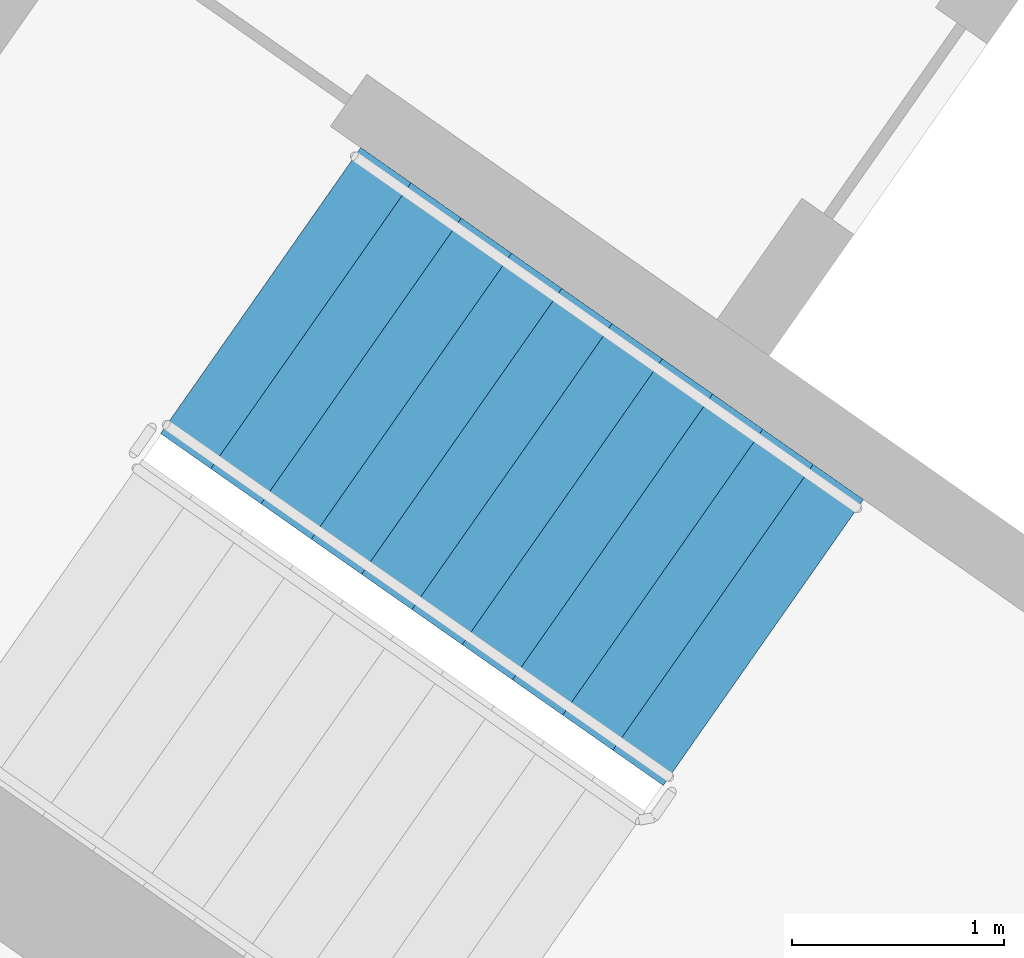
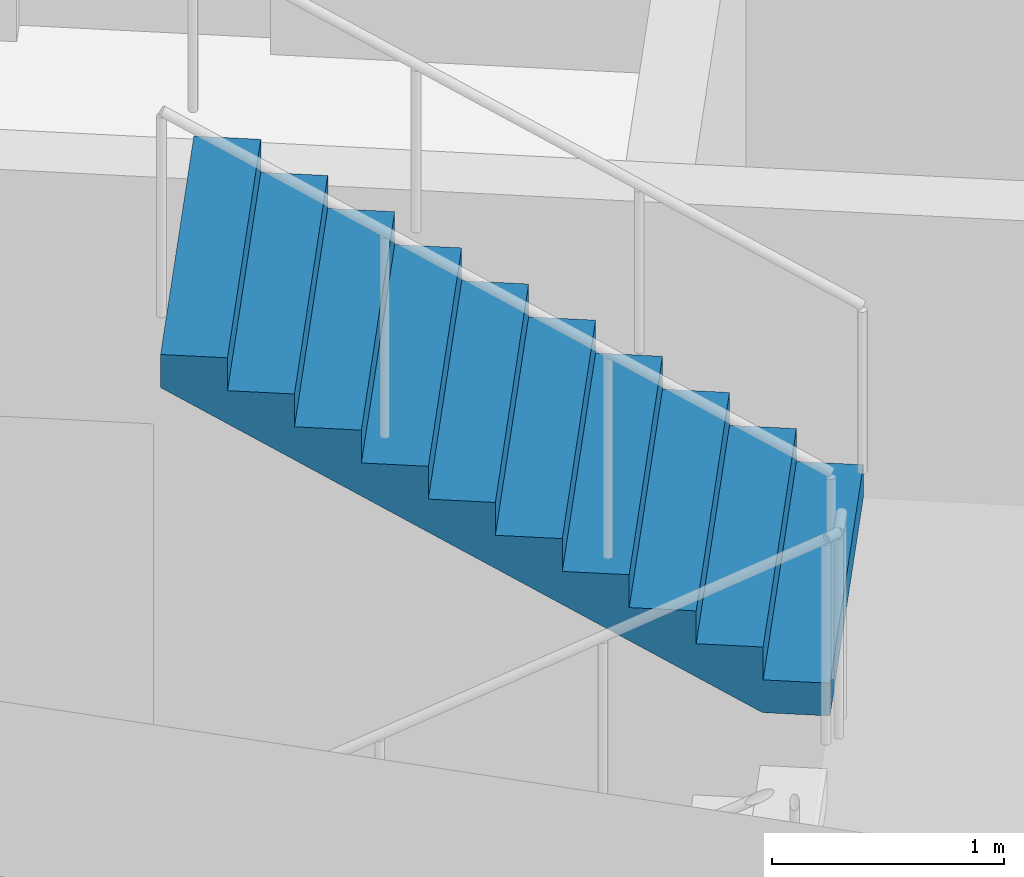
# One storey, part 10 of 28: 1 stair flight, 1 element without a shape of its own.
"""IFC4 building model written with IfcOpenShell, lengths in metres."""

import ifcopenshell
import ifcopenshell.guid

model = None  # the IFC model being written
_history = None  # IfcOwnerHistory: only IFC2X3 demands one
_inside = {}  # id of a spatial element -> (the spatial element, [elements in it])
_under = {}  # id of a project, library or spatial element -> (it, [spatial elements below it])
_declared = {}  # id of a project -> (the project, [libraries it declares])
_typed = {}  # id of a type object -> (the type object, [elements of that type])
_made_of = {}  # id of a material, layer set ... -> (it, [elements and type objects made of it])


def new_model(schema):
    """Start an empty IFC model of exactly this schema.

    Asked for "IFC4X3", IfcOpenShell would pick the latest addendum, in which some entities
    have other attributes; the version numbers below select the first issue.
    IFC2X3 requires an IfcOwnerHistory on every rooted entity: one is made here for all.
    """
    global model, _history
    if schema == "IFC4X3":
        model = ifcopenshell.file(schema_version=(4, 3, 0, 0))
    else:
        model = ifcopenshell.file(schema=schema)
    _inside.clear()
    _under.clear()
    _declared.clear()
    _typed.clear()
    _made_of.clear()
    _history = None
    if model.schema == "IFC2X3":
        org = make("IfcOrganization", Name="unknown")
        user = make(
            "IfcPersonAndOrganization",
            ThePerson=make("IfcPerson", FamilyName="unknown"),
            TheOrganization=org,
        )
        app = make(
            "IfcApplication",
            ApplicationDeveloper=org,
            Version="unknown",
            ApplicationFullName="unknown",
            ApplicationIdentifier="unknown",
        )
        _history = make(
            "IfcOwnerHistory",
            OwningUser=user,
            OwningApplication=app,
            ChangeAction="ADDED",
            CreationDate=0,
        )
    return model


def make(cls, **values):
    """One entity of the class cls with the attributes given. An attribute that is None is left unset."""
    return model.create_entity(
        cls, **{name: value for name, value in values.items() if value is not None}
    )


def rooted(cls, **values):
    """An entity with a GlobalId (a new one), such as an element, a storey or a relation."""
    return make(cls, GlobalId=ifcopenshell.guid.new(), OwnerHistory=_history, **values)


def si_unit(unit_type, name, prefix=None):
    """IfcSIUnit, for example si_unit("LENGTHUNIT", "METRE", prefix="MILLI")."""
    return make("IfcSIUnit", UnitType=unit_type, Prefix=prefix, Name=name)


def assignment(units):
    """IfcUnitAssignment: the units of a project."""
    return None if units is None else make("IfcUnitAssignment", Units=units)


def point(xyz):
    """IfcCartesianPoint."""
    return None if xyz is None else make("IfcCartesianPoint", Coordinates=xyz)


def direction(xyz):
    """IfcDirection."""
    return None if xyz is None else make("IfcDirection", DirectionRatios=xyz)


def frame(location, z_axis=None, x_axis=None):
    """IfcAxis2Placement3D, a coordinate frame: its origin and axes. An axis left out is left unset."""
    return make(
        "IfcAxis2Placement3D",
        Location=point(location),
        Axis=direction(z_axis),
        RefDirection=direction(x_axis),
    )


def origin():
    """The frame at (0, 0, 0) with its axes left unset."""
    return frame((0.0, 0.0, 0.0))


def place(relative_to, where):
    """IfcLocalPlacement: puts the frame where relative to a parent placement (None: the world)."""
    return make(
        "IfcLocalPlacement", PlacementRelTo=relative_to, RelativePlacement=where
    )


def context(
    kind, dimensions, precision=None, world=None, true_north=None, identifier=None
):
    """IfcGeometricRepresentationContext, for example the 3D "Model" context."""
    return make(
        "IfcGeometricRepresentationContext",
        ContextIdentifier=identifier,
        ContextType=kind,
        CoordinateSpaceDimension=dimensions,
        Precision=precision,
        WorldCoordinateSystem=world,
        TrueNorth=true_north,
    )


def subcontext(parent, identifier, kind, view, scale=None):
    """IfcGeometricRepresentationSubContext, for example "Body" below "Model"."""
    return make(
        "IfcGeometricRepresentationSubContext",
        ContextIdentifier=identifier,
        ContextType=kind,
        ParentContext=parent,
        TargetScale=scale,
        TargetView=view,
    )


def project(units=None, contexts=None):
    """IfcProject with its units and contexts."""
    return rooted(
        "IfcProject",
        Name="project",
        RepresentationContexts=contexts,
        UnitsInContext=assignment(units),
    )


def spatial(cls, under=None, at=None, **own):
    """A site, building, storey or space (cls), placed at a placement, below another one or the project."""
    s = rooted(cls, ObjectPlacement=at, **own)
    if under is not None:
        _under.setdefault(under.id(), (under, []))[1].append(s)
    return s


def faces_of(points, faces, orient=None, outer=None):
    """IfcFace entities. A face is a list of loops; a loop is a list of indices into points, from 0.

    orient and outer hold one flag for each loop. By default every Orientation is true, the
    first loop of a face is its IfcFaceOuterBound and the others are IfcFaceBound.
    """
    made = []
    for i, loops in enumerate(faces):
        bounds = []
        for j, loop in enumerate(loops):
            is_outer = j == 0 if outer is None else outer[i][j]
            bounds.append(
                make(
                    "IfcFaceOuterBound" if is_outer else "IfcFaceBound",
                    Bound=make("IfcPolyLoop", Polygon=[points[k] for k in loop]),
                    Orientation=True if orient is None else orient[i][j],
                )
            )
        made.append(make("IfcFace", Bounds=bounds))
    return made


def faceted_brep(points, faces, orient=None, outer=None, voids=None):
    """IfcFacetedBrep: a solid bounded by flat faces; with voids (closed shells), ...WithVoids."""
    shared = [point(p) for p in points]
    hull = make("IfcClosedShell", CfsFaces=faces_of(shared, faces, orient, outer))
    if voids is None:
        return make("IfcFacetedBrep", Outer=hull)
    return make(
        "IfcFacetedBrepWithVoids",
        Outer=hull,
        Voids=[
            make(cls, CfsFaces=faces_of(shared, fs, o, b)) for cls, fs, o, b in voids
        ],
    )


def shape(context_of_items, identifier, shape_type, items):
    """IfcShapeRepresentation: the items that make up one representation, for example the "Body"."""
    return make(
        "IfcShapeRepresentation",
        ContextOfItems=context_of_items,
        RepresentationIdentifier=identifier,
        RepresentationType=shape_type,
        Items=items,
    )


def material(Name=None, Category=None):
    """IfcMaterial."""
    return make("IfcMaterial", Name=Name, Category=Category)


def made_of(thing, what):
    """Note that an element or type object is made of a material, layer set ...; save() writes the relation."""
    if what is not None:
        _made_of.setdefault(what.id(), (what, []))[1].append(thing)
    return thing


def type_object(cls, material=None, **own):
    """A type object (cls), such as IfcWallType, which elements share."""
    return made_of(rooted(cls, **own), material)


def element(
    cls,
    number,
    at=None,
    inside=None,
    cuts=None,
    type_object=None,
    material=None,
    context=None,
    identifier="Body",
    shape_type=None,
    held_by="IfcProductDefinitionShape",
    body=None,
    shapes=None,
    **own,
):
    """One element of the class cls, such as IfcWall. Its Tag is "e" and its number.

    at: its placement. inside: the storey or other place that contains it. cuts: it is an
    opening in that element (IfcRelVoidsElement). A single representation is given by context,
    identifier, shape_type and body (its items); several are given by shapes. held_by: the class
    of the entity that holds the representations. save() writes the other relations.
    """
    e = rooted(cls, Tag="e%d" % number, ObjectPlacement=at, **own)
    if body is not None:
        shapes = [shape(context, identifier, shape_type, body)]
    if shapes is not None:
        e.Representation = make(held_by, Representations=shapes)
    if inside is not None:
        _inside.setdefault(inside.id(), (inside, []))[1].append(e)
    if cuts is not None:
        rooted(
            "IfcRelVoidsElement", RelatingBuildingElement=cuts, RelatedOpeningElement=e
        )
    if type_object is not None:
        _typed.setdefault(type_object.id(), (type_object, []))[1].append(e)
    return made_of(e, material)


def aggregate(whole, parts):
    """IfcRelAggregates: a whole, such as a stair, and the parts it consists of."""
    return rooted("IfcRelAggregates", RelatingObject=whole, RelatedObjects=parts)


def save(model, path):
    """Write the relations noted so far, then the file.

    IfcRelAggregates (storeys below a building ...), IfcRelContainedInSpatialStructure (elements
    in a storey), IfcRelDefinesByType, IfcRelAssociatesMaterial and IfcRelDeclares: one each for
    every whole, place, type object, material and project.
    """
    for whole, parts in _under.values():
        aggregate(whole, parts)
    for where, things in _inside.values():
        rooted(
            "IfcRelContainedInSpatialStructure",
            RelatedElements=things,
            RelatingStructure=where,
        )
    for kind, things in _typed.values():
        rooted("IfcRelDefinesByType", RelatedObjects=things, RelatingType=kind)
    for what, things in _made_of.values():
        rooted("IfcRelAssociatesMaterial", RelatedObjects=things, RelatingMaterial=what)
    for by, libraries in _declared.values():
        rooted("IfcRelDeclares", RelatingContext=by, RelatedDefinitions=libraries)
    model.write(path)


model = new_model("IFC4")

# Units and contexts
model_context = context("Model", 3, precision=1e-05, world=origin(), true_north=direction((0.0, 1.0)))
body_context = subcontext(model_context, "Body", "Model", "MODEL_VIEW")
ifc_project = project(units=[si_unit("LENGTHUNIT", "METRE"), si_unit("AREAUNIT", "SQUARE_METRE"), si_unit("VOLUMEUNIT", "CUBIC_METRE"), si_unit("PLANEANGLEUNIT", "RADIAN"), si_unit("MASSUNIT", "GRAM", prefix="KILO")], contexts=[model_context])

# Site, building, storey
site_placement = place(None, origin())
site = spatial("IfcSite", under=ifc_project, at=site_placement, CompositionType="ELEMENT")
building_placement = place(site_placement, origin())
building = spatial("IfcBuilding", under=site, at=building_placement, Name="Qamariyya Broadcast Tower", CompositionType="ELEMENT")
storey_placement = place(building_placement, frame((0.0, 0.0, 249.300048828125)))
storey = spatial("IfcBuildingStorey", under=building, at=storey_placement, Name="L60", CompositionType="ELEMENT", Elevation=249.300048828125)

# Stair, stair flight
ifc_material = material(Name="Concrete C50/60", Category="concrete")
stair_type = type_object("IfcStairType", Name="Exit stair 22 risers of 173 mm", PredefinedType="HALF_TURN_STAIR", material=ifc_material)
stair_placement = place(storey_placement, origin())
stair = element("IfcStair", 1, at=stair_placement, inside=storey, type_object=stair_type, Name="L60 Stair W1", PredefinedType="HALF_TURN_STAIR")
stair_flight_type = type_object("IfcStairFlightType", Name="Exit stair flight 11 risers of 173 mm", PredefinedType="STRAIGHT", material=ifc_material)
stair_flight_placement = place(storey_placement, frame((-43.660888671875, -57.17138671875, 1.89990234375), z_axis=(0.0, 0.0, 1.0), x_axis=(-0.819152044289, 0.573576436351, 0.0)))
stair_flight = element("IfcStairFlight", 2, at=stair_flight_placement, type_object=stair_flight_type, Name="ST-W1 flight 2", NumberOfRisers=11, NumberOfTreads=10, PredefinedType="STRAIGHT", RiserHeight=0.172727273, TreadLength=0.29, context=body_context, shape_type="Brep", body=[
    faceted_brep([(0.0, 0.824951171875, 0.0), (0.0, 0.824951171875, 0.172607421875), (0.2900390625, 0.824951171875, 0.172607421875), (0.2900390625, 0.824951171875, 0.345458984375), (0.580078125, 0.824951171875, 0.345458984375), (0.580078125, 0.824951171875, 0.51806640625), (0.8701171875, 0.824951171875, 0.51806640625), (0.8701171875, 0.824951171875, 0.69091796875), (1.159912109375, 0.824951171875, 0.69091796875), (1.159912109375, 0.824951171875, 0.863525390625), (1.449951171875, 0.824951171875, 0.863525390625), (1.449951171875, 0.824951171875, 1.036376953125), (1.739990234375, 0.824951171875, 1.036376953125), (1.739990234375, 0.824951171875, 1.208984375), (2.030029296875, 0.824951171875, 1.208984375), (2.030029296875, 0.824951171875, 1.3818359375), (2.320068359375, 0.824951171875, 1.3818359375), (2.320068359375, 0.824951171875, 1.554443359375), (2.610107421875, 0.824951171875, 1.554443359375), (2.610107421875, 0.824951171875, 1.727294921875), (2.89990234375, 0.824951171875, 1.727294921875), (2.89990234375, 0.824951171875, 1.552734375), (0.29296875, 0.824951171875, 0.0), (0.29296875, -0.824951171875, 0.0), (2.89990234375, -0.824951171875, 1.552734375), (2.89990234375, -0.824951171875, 1.727294921875), (2.610107421875, -0.824951171875, 1.727294921875), (2.610107421875, -0.824951171875, 1.554443359375), (2.320068359375, -0.824951171875, 1.554443359375), (2.320068359375, -0.824951171875, 1.3818359375), (2.030029296875, -0.824951171875, 1.3818359375), (2.030029296875, -0.824951171875, 1.208984375), (1.739990234375, -0.824951171875, 1.208984375), (1.739990234375, -0.824951171875, 1.036376953125), (1.449951171875, -0.824951171875, 1.036376953125), (1.449951171875, -0.824951171875, 0.863525390625), (1.159912109375, -0.824951171875, 0.863525390625), (1.159912109375, -0.824951171875, 0.69091796875), (0.8701171875, -0.824951171875, 0.69091796875), (0.8701171875, -0.824951171875, 0.51806640625), (0.580078125, -0.824951171875, 0.51806640625), (0.580078125, -0.824951171875, 0.345458984375), (0.2900390625, -0.824951171875, 0.345458984375), (0.2900390625, -0.824951171875, 0.172607421875), (0.0, -0.824951171875, 0.172607421875), (0.0, -0.824951171875, 0.0), (0.0, 0.10009765625, 0.0), (0.0, 0.086669921875, 0.0), (0.0, 0.0732421875, 0.0), (0.0, 0.06005859375, 0.0), (0.0, 0.046630859375, 0.0), (0.0, 0.033447265625, 0.0), (0.0, 0.02001953125, 0.0), (0.0, 0.006591796875, 0.0), (0.0, -0.006591796875, 0.0), (0.0, -0.02001953125, 0.0), (0.0, -0.033447265625, 0.0), (0.0, -0.046630859375, 0.0), (0.0, -0.06005859375, 0.0), (0.0, -0.0732421875, 0.0), (0.0, -0.086669921875, 0.0), (0.0, -0.10009765625, 0.0), (0.0, -0.10009765625, 0.172607421875), (0.0, -0.086669921875, 0.172607421875), (0.0, -0.0732421875, 0.172607421875), (0.0, -0.06005859375, 0.172607421875), (0.0, -0.046630859375, 0.172607421875), (0.0, -0.033447265625, 0.172607421875), (0.0, -0.02001953125, 0.172607421875), (0.0, -0.006591796875, 0.172607421875), (0.0, 0.006591796875, 0.172607421875), (0.0, 0.02001953125, 0.172607421875), (0.0, 0.033447265625, 0.172607421875), (0.0, 0.046630859375, 0.172607421875), (0.0, 0.06005859375, 0.172607421875), (0.0, 0.0732421875, 0.172607421875), (0.0, 0.086669921875, 0.172607421875), (0.0, 0.10009765625, 0.172607421875), (0.2900390625, -0.10009765625, 0.172607421875), (0.2900390625, -0.086669921875, 0.172607421875), (0.2900390625, -0.0732421875, 0.172607421875), (0.2900390625, -0.06005859375, 0.172607421875), (0.2900390625, -0.046630859375, 0.172607421875), (0.2900390625, -0.033447265625, 0.172607421875), (0.2900390625, -0.02001953125, 0.172607421875), (0.2900390625, -0.006591796875, 0.172607421875), (0.2900390625, 0.006591796875, 0.172607421875), (0.2900390625, 0.02001953125, 0.172607421875), (0.2900390625, 0.033447265625, 0.172607421875), (0.2900390625, 0.046630859375, 0.172607421875), (0.2900390625, 0.06005859375, 0.172607421875), (0.2900390625, 0.0732421875, 0.172607421875), (0.2900390625, 0.086669921875, 0.172607421875), (0.2900390625, 0.10009765625, 0.172607421875), (0.2900390625, -0.10009765625, 0.345458984375), (0.2900390625, -0.086669921875, 0.345458984375), (0.2900390625, -0.0732421875, 0.345458984375), (0.2900390625, -0.06005859375, 0.345458984375), (0.2900390625, -0.046630859375, 0.345458984375), (0.2900390625, -0.033447265625, 0.345458984375), (0.2900390625, -0.02001953125, 0.345458984375), (0.2900390625, -0.006591796875, 0.345458984375), (0.2900390625, 0.006591796875, 0.345458984375), (0.2900390625, 0.02001953125, 0.345458984375), (0.2900390625, 0.033447265625, 0.345458984375), (0.2900390625, 0.046630859375, 0.345458984375), (0.2900390625, 0.06005859375, 0.345458984375), (0.2900390625, 0.0732421875, 0.345458984375), (0.2900390625, 0.086669921875, 0.345458984375), (0.2900390625, 0.10009765625, 0.345458984375), (0.580078125, -0.10009765625, 0.345458984375), (0.580078125, -0.086669921875, 0.345458984375), (0.580078125, -0.0732421875, 0.345458984375), (0.580078125, -0.06005859375, 0.345458984375), (0.580078125, -0.046630859375, 0.345458984375), (0.580078125, -0.033447265625, 0.345458984375), (0.580078125, -0.02001953125, 0.345458984375), (0.580078125, -0.006591796875, 0.345458984375), (0.580078125, 0.006591796875, 0.345458984375), (0.580078125, 0.02001953125, 0.345458984375), (0.580078125, 0.033447265625, 0.345458984375), (0.580078125, 0.046630859375, 0.345458984375), (0.580078125, 0.06005859375, 0.345458984375), (0.580078125, 0.0732421875, 0.345458984375), (0.580078125, 0.086669921875, 0.345458984375), (0.580078125, 0.10009765625, 0.345458984375), (0.580078125, -0.10009765625, 0.51806640625), (0.580078125, -0.086669921875, 0.51806640625), (0.580078125, -0.0732421875, 0.51806640625), (0.580078125, -0.06005859375, 0.51806640625), (0.580078125, -0.046630859375, 0.51806640625), (0.580078125, -0.033447265625, 0.51806640625), (0.580078125, -0.02001953125, 0.51806640625), (0.580078125, -0.006591796875, 0.51806640625), (0.580078125, 0.006591796875, 0.51806640625), (0.580078125, 0.02001953125, 0.51806640625), (0.580078125, 0.033447265625, 0.51806640625), (0.580078125, 0.046630859375, 0.51806640625), (0.580078125, 0.06005859375, 0.51806640625), (0.580078125, 0.0732421875, 0.51806640625), (0.580078125, 0.086669921875, 0.51806640625), (0.580078125, 0.10009765625, 0.51806640625), (0.8701171875, -0.10009765625, 0.51806640625), (0.8701171875, -0.086669921875, 0.51806640625), (0.8701171875, -0.0732421875, 0.51806640625), (0.8701171875, -0.06005859375, 0.51806640625), (0.8701171875, -0.046630859375, 0.51806640625), (0.8701171875, -0.033447265625, 0.51806640625), (0.8701171875, -0.02001953125, 0.51806640625), (0.8701171875, -0.006591796875, 0.51806640625), (0.8701171875, 0.006591796875, 0.51806640625), (0.8701171875, 0.02001953125, 0.51806640625), (0.8701171875, 0.033447265625, 0.51806640625), (0.8701171875, 0.046630859375, 0.51806640625), (0.8701171875, 0.06005859375, 0.51806640625), (0.8701171875, 0.0732421875, 0.51806640625), (0.8701171875, 0.086669921875, 0.51806640625), (0.8701171875, 0.10009765625, 0.51806640625), (0.8701171875, -0.10009765625, 0.69091796875), (0.8701171875, -0.086669921875, 0.69091796875), (0.8701171875, -0.0732421875, 0.69091796875), (0.8701171875, -0.06005859375, 0.69091796875), (0.8701171875, -0.046630859375, 0.69091796875), (0.8701171875, -0.033447265625, 0.69091796875), (0.8701171875, -0.02001953125, 0.69091796875), (0.8701171875, -0.006591796875, 0.69091796875), (0.8701171875, 0.006591796875, 0.69091796875), (0.8701171875, 0.02001953125, 0.69091796875), (0.8701171875, 0.033447265625, 0.69091796875), (0.8701171875, 0.046630859375, 0.69091796875), (0.8701171875, 0.06005859375, 0.69091796875), (0.8701171875, 0.0732421875, 0.69091796875), (0.8701171875, 0.086669921875, 0.69091796875), (0.8701171875, 0.10009765625, 0.69091796875), (1.159912109375, -0.10009765625, 0.69091796875), (1.159912109375, -0.086669921875, 0.69091796875), (1.159912109375, -0.0732421875, 0.69091796875), (1.159912109375, -0.06005859375, 0.69091796875), (1.159912109375, -0.046630859375, 0.69091796875), (1.159912109375, -0.033447265625, 0.69091796875), (1.159912109375, -0.02001953125, 0.69091796875), (1.159912109375, -0.006591796875, 0.69091796875), (1.159912109375, 0.006591796875, 0.69091796875), (1.159912109375, 0.02001953125, 0.69091796875), (1.159912109375, 0.033447265625, 0.69091796875), (1.159912109375, 0.046630859375, 0.69091796875), (1.159912109375, 0.06005859375, 0.69091796875), (1.159912109375, 0.0732421875, 0.69091796875), (1.159912109375, 0.086669921875, 0.69091796875), (1.159912109375, 0.10009765625, 0.69091796875), (1.159912109375, -0.10009765625, 0.863525390625), (1.159912109375, -0.086669921875, 0.863525390625), (1.159912109375, -0.0732421875, 0.863525390625), (1.159912109375, -0.06005859375, 0.863525390625), (1.159912109375, -0.046630859375, 0.863525390625), (1.159912109375, -0.033447265625, 0.863525390625), (1.159912109375, -0.02001953125, 0.863525390625), (1.159912109375, -0.006591796875, 0.863525390625), (1.159912109375, 0.006591796875, 0.863525390625), (1.159912109375, 0.02001953125, 0.863525390625), (1.159912109375, 0.033447265625, 0.863525390625), (1.159912109375, 0.046630859375, 0.863525390625), (1.159912109375, 0.06005859375, 0.863525390625), (1.159912109375, 0.0732421875, 0.863525390625), (1.159912109375, 0.086669921875, 0.863525390625), (1.159912109375, 0.10009765625, 0.863525390625), (1.449951171875, -0.10009765625, 0.863525390625), (1.449951171875, -0.086669921875, 0.863525390625), (1.449951171875, -0.0732421875, 0.863525390625), (1.449951171875, -0.06005859375, 0.863525390625), (1.449951171875, -0.046630859375, 0.863525390625), (1.449951171875, -0.033447265625, 0.863525390625), (1.449951171875, -0.02001953125, 0.863525390625), (1.449951171875, -0.006591796875, 0.863525390625), (1.449951171875, 0.006591796875, 0.863525390625), (1.449951171875, 0.02001953125, 0.863525390625), (1.449951171875, 0.033447265625, 0.863525390625), (1.449951171875, 0.046630859375, 0.863525390625), (1.449951171875, 0.06005859375, 0.863525390625), (1.449951171875, 0.0732421875, 0.863525390625), (1.449951171875, 0.086669921875, 0.863525390625), (1.449951171875, 0.10009765625, 0.863525390625), (1.449951171875, -0.10009765625, 1.036376953125), (1.449951171875, -0.086669921875, 1.036376953125), (1.449951171875, -0.0732421875, 1.036376953125), (1.449951171875, -0.06005859375, 1.036376953125), (1.449951171875, -0.046630859375, 1.036376953125), (1.449951171875, -0.033447265625, 1.036376953125), (1.449951171875, -0.02001953125, 1.036376953125), (1.449951171875, -0.006591796875, 1.036376953125), (1.449951171875, 0.006591796875, 1.036376953125), (1.449951171875, 0.02001953125, 1.036376953125), (1.449951171875, 0.033447265625, 1.036376953125), (1.449951171875, 0.046630859375, 1.036376953125), (1.449951171875, 0.06005859375, 1.036376953125), (1.449951171875, 0.0732421875, 1.036376953125), (1.449951171875, 0.086669921875, 1.036376953125), (1.449951171875, 0.10009765625, 1.036376953125), (1.739990234375, -0.10009765625, 1.036376953125), (1.739990234375, -0.086669921875, 1.036376953125), (1.739990234375, -0.0732421875, 1.036376953125), (1.739990234375, -0.06005859375, 1.036376953125), (1.739990234375, -0.046630859375, 1.036376953125), (1.739990234375, -0.033447265625, 1.036376953125), (1.739990234375, -0.02001953125, 1.036376953125), (1.739990234375, -0.006591796875, 1.036376953125), (1.739990234375, 0.006591796875, 1.036376953125), (1.739990234375, 0.02001953125, 1.036376953125), (1.739990234375, 0.033447265625, 1.036376953125), (1.739990234375, 0.046630859375, 1.036376953125), (1.739990234375, 0.06005859375, 1.036376953125), (1.739990234375, 0.0732421875, 1.036376953125), (1.739990234375, 0.086669921875, 1.036376953125), (1.739990234375, 0.10009765625, 1.036376953125), (1.739990234375, -0.10009765625, 1.208984375), (1.739990234375, -0.086669921875, 1.208984375), (1.739990234375, -0.0732421875, 1.208984375), (1.739990234375, -0.06005859375, 1.208984375), (1.739990234375, -0.046630859375, 1.208984375), (1.739990234375, -0.033447265625, 1.208984375), (1.739990234375, -0.02001953125, 1.208984375), (1.739990234375, -0.006591796875, 1.208984375), (1.739990234375, 0.006591796875, 1.208984375), (1.739990234375, 0.02001953125, 1.208984375), (1.739990234375, 0.033447265625, 1.208984375), (1.739990234375, 0.046630859375, 1.208984375), (1.739990234375, 0.06005859375, 1.208984375), (1.739990234375, 0.0732421875, 1.208984375), (1.739990234375, 0.086669921875, 1.208984375), (1.739990234375, 0.10009765625, 1.208984375), (2.030029296875, -0.10009765625, 1.208984375), (2.030029296875, -0.086669921875, 1.208984375), (2.030029296875, -0.0732421875, 1.208984375), (2.030029296875, -0.06005859375, 1.208984375), (2.030029296875, -0.046630859375, 1.208984375), (2.030029296875, -0.033447265625, 1.208984375), (2.030029296875, -0.02001953125, 1.208984375), (2.030029296875, -0.006591796875, 1.208984375), (2.030029296875, 0.006591796875, 1.208984375), (2.030029296875, 0.02001953125, 1.208984375), (2.030029296875, 0.033447265625, 1.208984375), (2.030029296875, 0.046630859375, 1.208984375), (2.030029296875, 0.06005859375, 1.208984375), (2.030029296875, 0.0732421875, 1.208984375), (2.030029296875, 0.086669921875, 1.208984375), (2.030029296875, 0.10009765625, 1.208984375), (2.030029296875, -0.10009765625, 1.3818359375), (2.030029296875, -0.086669921875, 1.3818359375), (2.030029296875, -0.0732421875, 1.3818359375), (2.030029296875, -0.06005859375, 1.3818359375), (2.030029296875, -0.046630859375, 1.3818359375), (2.030029296875, -0.033447265625, 1.3818359375), (2.030029296875, -0.02001953125, 1.3818359375), (2.030029296875, -0.006591796875, 1.3818359375), (2.030029296875, 0.006591796875, 1.3818359375), (2.030029296875, 0.02001953125, 1.3818359375), (2.030029296875, 0.033447265625, 1.3818359375), (2.030029296875, 0.046630859375, 1.3818359375), (2.030029296875, 0.06005859375, 1.3818359375), (2.030029296875, 0.0732421875, 1.3818359375), (2.030029296875, 0.086669921875, 1.3818359375), (2.030029296875, 0.10009765625, 1.3818359375), (2.320068359375, -0.10009765625, 1.3818359375), (2.320068359375, -0.086669921875, 1.3818359375), (2.320068359375, -0.0732421875, 1.3818359375), (2.320068359375, -0.06005859375, 1.3818359375), (2.320068359375, -0.046630859375, 1.3818359375), (2.320068359375, -0.033447265625, 1.3818359375), (2.320068359375, -0.02001953125, 1.3818359375), (2.320068359375, -0.006591796875, 1.3818359375), (2.320068359375, 0.006591796875, 1.3818359375), (2.320068359375, 0.02001953125, 1.3818359375), (2.320068359375, 0.033447265625, 1.3818359375), (2.320068359375, 0.046630859375, 1.3818359375), (2.320068359375, 0.06005859375, 1.3818359375), (2.320068359375, 0.0732421875, 1.3818359375), (2.320068359375, 0.086669921875, 1.3818359375), (2.320068359375, 0.10009765625, 1.3818359375), (2.320068359375, -0.10009765625, 1.554443359375), (2.320068359375, -0.086669921875, 1.554443359375), (2.320068359375, -0.0732421875, 1.554443359375), (2.320068359375, -0.06005859375, 1.554443359375), (2.320068359375, -0.046630859375, 1.554443359375), (2.320068359375, -0.033447265625, 1.554443359375), (2.320068359375, -0.02001953125, 1.554443359375), (2.320068359375, -0.006591796875, 1.554443359375), (2.320068359375, 0.006591796875, 1.554443359375), (2.320068359375, 0.02001953125, 1.554443359375), (2.320068359375, 0.033447265625, 1.554443359375), (2.320068359375, 0.046630859375, 1.554443359375), (2.320068359375, 0.06005859375, 1.554443359375), (2.320068359375, 0.0732421875, 1.554443359375), (2.320068359375, 0.086669921875, 1.554443359375), (2.320068359375, 0.10009765625, 1.554443359375), (2.610107421875, -0.10009765625, 1.554443359375), (2.610107421875, -0.086669921875, 1.554443359375), (2.610107421875, -0.0732421875, 1.554443359375), (2.610107421875, -0.06005859375, 1.554443359375), (2.610107421875, -0.046630859375, 1.554443359375), (2.610107421875, -0.033447265625, 1.554443359375), (2.610107421875, -0.02001953125, 1.554443359375), (2.610107421875, -0.006591796875, 1.554443359375), (2.610107421875, 0.006591796875, 1.554443359375), (2.610107421875, 0.02001953125, 1.554443359375), (2.610107421875, 0.033447265625, 1.554443359375), (2.610107421875, 0.046630859375, 1.554443359375), (2.610107421875, 0.06005859375, 1.554443359375), (2.610107421875, 0.0732421875, 1.554443359375), (2.610107421875, 0.086669921875, 1.554443359375), (2.610107421875, 0.10009765625, 1.554443359375), (2.610107421875, -0.10009765625, 1.727294921875), (2.610107421875, -0.086669921875, 1.727294921875), (2.610107421875, -0.0732421875, 1.727294921875), (2.610107421875, -0.06005859375, 1.727294921875), (2.610107421875, -0.046630859375, 1.727294921875), (2.610107421875, -0.033447265625, 1.727294921875), (2.610107421875, -0.02001953125, 1.727294921875), (2.610107421875, -0.006591796875, 1.727294921875), (2.610107421875, 0.006591796875, 1.727294921875), (2.610107421875, 0.02001953125, 1.727294921875), (2.610107421875, 0.033447265625, 1.727294921875), (2.610107421875, 0.046630859375, 1.727294921875), (2.610107421875, 0.06005859375, 1.727294921875), (2.610107421875, 0.0732421875, 1.727294921875), (2.610107421875, 0.086669921875, 1.727294921875), (2.610107421875, 0.10009765625, 1.727294921875), (2.89990234375, -0.10009765625, 1.727294921875), (2.89990234375, -0.086669921875, 1.727294921875), (2.89990234375, -0.0732421875, 1.727294921875), (2.89990234375, -0.06005859375, 1.727294921875), (2.89990234375, -0.046630859375, 1.727294921875), (2.89990234375, -0.033447265625, 1.727294921875), (2.89990234375, -0.02001953125, 1.727294921875), (2.89990234375, -0.006591796875, 1.727294921875), (2.89990234375, 0.006591796875, 1.727294921875), (2.89990234375, 0.02001953125, 1.727294921875), (2.89990234375, 0.033447265625, 1.727294921875), (2.89990234375, 0.046630859375, 1.727294921875), (2.89990234375, 0.06005859375, 1.727294921875), (2.89990234375, 0.0732421875, 1.727294921875), (2.89990234375, 0.086669921875, 1.727294921875), (2.89990234375, 0.10009765625, 1.727294921875), (2.89990234375, -0.10009765625, 1.552734375), (2.89990234375, -0.086669921875, 1.552734375), (2.89990234375, -0.0732421875, 1.552734375), (2.89990234375, -0.06005859375, 1.552734375), (2.89990234375, -0.046630859375, 1.552734375), (2.89990234375, -0.033447265625, 1.552734375), (2.89990234375, -0.02001953125, 1.552734375), (2.89990234375, -0.006591796875, 1.552734375), (2.89990234375, 0.006591796875, 1.552734375), (2.89990234375, 0.02001953125, 1.552734375), (2.89990234375, 0.033447265625, 1.552734375), (2.89990234375, 0.046630859375, 1.552734375), (2.89990234375, 0.06005859375, 1.552734375), (2.89990234375, 0.0732421875, 1.552734375), (2.89990234375, 0.086669921875, 1.552734375), (2.89990234375, 0.10009765625, 1.552734375), (0.29296875, -0.10009765625, 0.0), (0.29296875, -0.086669921875, 0.0), (0.29296875, -0.0732421875, 0.0), (0.29296875, -0.06005859375, 0.0), (0.29296875, -0.046630859375, 0.0), (0.29296875, -0.033447265625, 0.0), (0.29296875, -0.02001953125, 0.0), (0.29296875, -0.006591796875, 0.0), (0.29296875, 0.006591796875, 0.0), (0.29296875, 0.02001953125, 0.0), (0.29296875, 0.033447265625, 0.0), (0.29296875, 0.046630859375, 0.0), (0.29296875, 0.06005859375, 0.0), (0.29296875, 0.0732421875, 0.0), (0.29296875, 0.086669921875, 0.0), (0.29296875, 0.10009765625, 0.0)], [[[0, 1, 2, 3, 4, 5, 6, 7, 8, 9, 10, 11, 12, 13, 14, 15, 16, 17, 18, 19, 20, 21, 22]], [[23, 24, 25, 26, 27, 28, 29, 30, 31, 32, 33, 34, 35, 36, 37, 38, 39, 40, 41, 42, 43, 44, 45]], [[0, 46, 47, 48, 49, 50, 51, 52, 53, 54, 55, 56, 57, 58, 59, 60, 61, 45, 44, 62, 63, 64, 65, 66, 67, 68, 69, 70, 71, 72, 73, 74, 75, 76, 77, 1]], [[1, 77, 76, 75, 74, 73, 72, 71, 70, 69, 68, 67, 66, 65, 64, 63, 62, 44, 43, 78, 79, 80, 81, 82, 83, 84, 85, 86, 87, 88, 89, 90, 91, 92, 93, 2]], [[2, 93, 92, 91, 90, 89, 88, 87, 86, 85, 84, 83, 82, 81, 80, 79, 78, 43, 42, 94, 95, 96, 97, 98, 99, 100, 101, 102, 103, 104, 105, 106, 107, 108, 109, 3]], [[3, 109, 108, 107, 106, 105, 104, 103, 102, 101, 100, 99, 98, 97, 96, 95, 94, 42, 41, 110, 111, 112, 113, 114, 115, 116, 117, 118, 119, 120, 121, 122, 123, 124, 125, 4]], [[4, 125, 124, 123, 122, 121, 120, 119, 118, 117, 116, 115, 114, 113, 112, 111, 110, 41, 40, 126, 127, 128, 129, 130, 131, 132, 133, 134, 135, 136, 137, 138, 139, 140, 141, 5]], [[5, 141, 140, 139, 138, 137, 136, 135, 134, 133, 132, 131, 130, 129, 128, 127, 126, 40, 39, 142, 143, 144, 145, 146, 147, 148, 149, 150, 151, 152, 153, 154, 155, 156, 157, 6]], [[6, 157, 156, 155, 154, 153, 152, 151, 150, 149, 148, 147, 146, 145, 144, 143, 142, 39, 38, 158, 159, 160, 161, 162, 163, 164, 165, 166, 167, 168, 169, 170, 171, 172, 173, 7]], [[7, 173, 172, 171, 170, 169, 168, 167, 166, 165, 164, 163, 162, 161, 160, 159, 158, 38, 37, 174, 175, 176, 177, 178, 179, 180, 181, 182, 183, 184, 185, 186, 187, 188, 189, 8]], [[8, 189, 188, 187, 186, 185, 184, 183, 182, 181, 180, 179, 178, 177, 176, 175, 174, 37, 36, 190, 191, 192, 193, 194, 195, 196, 197, 198, 199, 200, 201, 202, 203, 204, 205, 9]], [[9, 205, 204, 203, 202, 201, 200, 199, 198, 197, 196, 195, 194, 193, 192, 191, 190, 36, 35, 206, 207, 208, 209, 210, 211, 212, 213, 214, 215, 216, 217, 218, 219, 220, 221, 10]], [[10, 221, 220, 219, 218, 217, 216, 215, 214, 213, 212, 211, 210, 209, 208, 207, 206, 35, 34, 222, 223, 224, 225, 226, 227, 228, 229, 230, 231, 232, 233, 234, 235, 236, 237, 11]], [[11, 237, 236, 235, 234, 233, 232, 231, 230, 229, 228, 227, 226, 225, 224, 223, 222, 34, 33, 238, 239, 240, 241, 242, 243, 244, 245, 246, 247, 248, 249, 250, 251, 252, 253, 12]], [[12, 253, 252, 251, 250, 249, 248, 247, 246, 245, 244, 243, 242, 241, 240, 239, 238, 33, 32, 254, 255, 256, 257, 258, 259, 260, 261, 262, 263, 264, 265, 266, 267, 268, 269, 13]], [[13, 269, 268, 267, 266, 265, 264, 263, 262, 261, 260, 259, 258, 257, 256, 255, 254, 32, 31, 270, 271, 272, 273, 274, 275, 276, 277, 278, 279, 280, 281, 282, 283, 284, 285, 14]], [[14, 285, 284, 283, 282, 281, 280, 279, 278, 277, 276, 275, 274, 273, 272, 271, 270, 31, 30, 286, 287, 288, 289, 290, 291, 292, 293, 294, 295, 296, 297, 298, 299, 300, 301, 15]], [[15, 301, 300, 299, 298, 297, 296, 295, 294, 293, 292, 291, 290, 289, 288, 287, 286, 30, 29, 302, 303, 304, 305, 306, 307, 308, 309, 310, 311, 312, 313, 314, 315, 316, 317, 16]], [[16, 317, 316, 315, 314, 313, 312, 311, 310, 309, 308, 307, 306, 305, 304, 303, 302, 29, 28, 318, 319, 320, 321, 322, 323, 324, 325, 326, 327, 328, 329, 330, 331, 332, 333, 17]], [[17, 333, 332, 331, 330, 329, 328, 327, 326, 325, 324, 323, 322, 321, 320, 319, 318, 28, 27, 334, 335, 336, 337, 338, 339, 340, 341, 342, 343, 344, 345, 346, 347, 348, 349, 18]], [[18, 349, 348, 347, 346, 345, 344, 343, 342, 341, 340, 339, 338, 337, 336, 335, 334, 27, 26, 350, 351, 352, 353, 354, 355, 356, 357, 358, 359, 360, 361, 362, 363, 364, 365, 19]], [[19, 365, 364, 363, 362, 361, 360, 359, 358, 357, 356, 355, 354, 353, 352, 351, 350, 26, 25, 366, 367, 368, 369, 370, 371, 372, 373, 374, 375, 376, 377, 378, 379, 380, 381, 20]], [[20, 381, 380, 379, 378, 377, 376, 375, 374, 373, 372, 371, 370, 369, 368, 367, 366, 25, 24, 382, 383, 384, 385, 386, 387, 388, 389, 390, 391, 392, 393, 394, 395, 396, 397, 21]], [[21, 397, 396, 395, 394, 393, 392, 391, 390, 389, 388, 387, 386, 385, 384, 383, 382, 24, 23, 398, 399, 400, 401, 402, 403, 404, 405, 406, 407, 408, 409, 410, 411, 412, 413, 22]], [[22, 413, 412, 411, 410, 409, 408, 407, 406, 405, 404, 403, 402, 401, 400, 399, 398, 23, 45, 61, 60, 59, 58, 57, 56, 55, 54, 53, 52, 51, 50, 49, 48, 47, 46, 0]]]),
])
aggregate(stair, [stair_flight])

save(model, "model.ifc")
